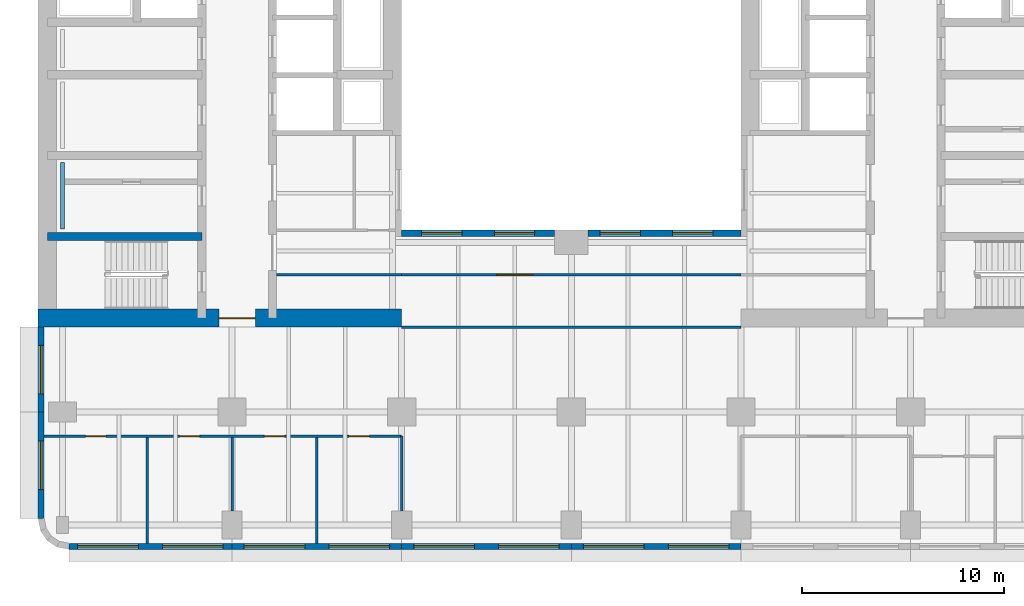
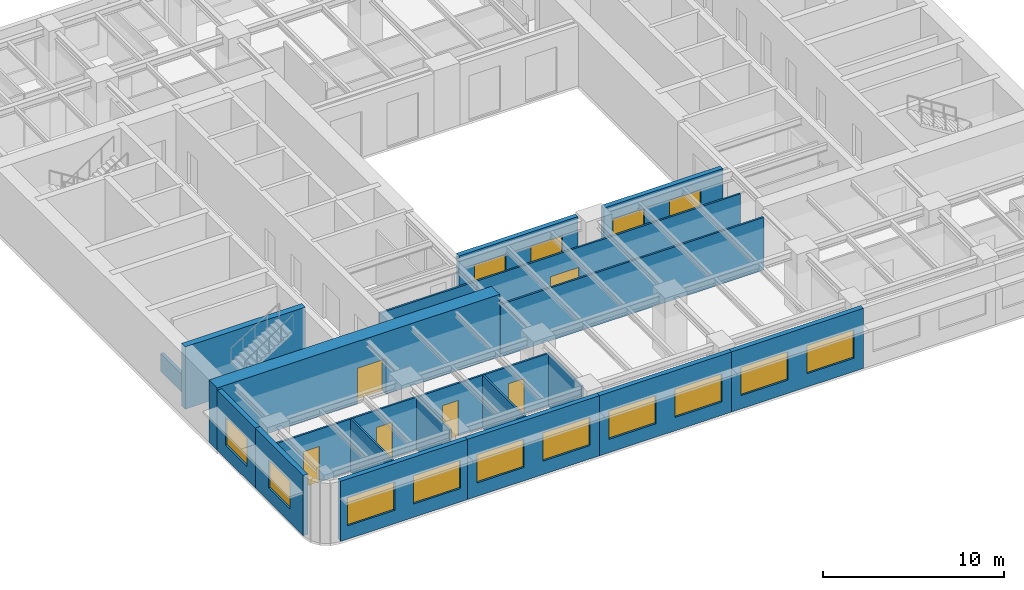
# One storey, part 3 of 11: 19 walls, 14 windows, 6 doors, 20 openings.
"""IFC4 building model written with IfcOpenShell, lengths in metres."""

from ifc_helpers import new_model, si_unit, direction, frame, frame_2d, origin, place, context, subcontext, project, spatial, rectangle, extrude, material, layer, layer_set, type_object, element, fill, save


model = new_model("IFC4")

# Units and contexts
model_context = context("Model", 3, precision=1e-05, world=origin(), true_north=direction((0.0, 1.0)))
body_context = subcontext(model_context, "Body", "Model", "MODEL_VIEW")
ifc_project = project(units=[si_unit("LENGTHUNIT", "METRE"), si_unit("AREAUNIT", "SQUARE_METRE"), si_unit("VOLUMEUNIT", "CUBIC_METRE"), si_unit("PLANEANGLEUNIT", "RADIAN"), si_unit("MASSUNIT", "GRAM", prefix="KILO")], contexts=[model_context])

# Site, building, storey
site_placement = place(None, origin())
site = spatial("IfcSite", under=ifc_project, at=site_placement, CompositionType="ELEMENT")
building_placement = place(site_placement, origin())
building = spatial("IfcBuilding", under=site, at=building_placement, Name="Claustro Exchange Tower", CompositionType="ELEMENT")
storey_placement = place(building_placement, frame((0.0, 0.0, 109.199951171875)))
storey = spatial("IfcBuildingStorey", under=building, at=storey_placement, Name="L24", CompositionType="ELEMENT", Elevation=109.199951171875)

# Wall, openings, doors
ifc_material_1 = material(Name="Laminated glass in aluminium frame", Category="aluminium")
ifc_layer_1 = layer(ifc_material_1, 0.1201171875)
ifc_layer_set_1 = layer_set([ifc_layer_1], Name="Laminated glass in aluminium frame")
wall_type_1 = type_object("IfcWallType", Name="P2 120 glazed partition", PredefinedType="PARTITIONING", material=ifc_layer_set_1)
wall_1_placement = place(storey_placement, frame((-0.902099609375, 7.199951171875, 0.0), z_axis=(0.0, 0.0, 1.0), x_axis=(1.0, 0.0, 0.0)))
wall_1 = element("IfcWall", 1, at=wall_1_placement, inside=storey, type_object=wall_type_1, Name="Partition P2 L24", PredefinedType="PARTITIONING", context=body_context, shape_type="SweptSolid", body=[
    extrude(rectangle(XDim=17.7021484375, YDim=0.1201171875, at=frame_2d((8.85107421875, 0.0))), origin(), (0.0, 0.0, 1.0), 3.550048828125),
])
opening_1_placement = place(wall_1_placement, frame((2.052001953125, 0.0, 0.0)))
opening_1 = element("IfcOpeningElement", 2, at=opening_1_placement, cuts=wall_1, Name="Opening D7", PredefinedType="OPENING", context=body_context, shape_type="SweptSolid", body=[
    extrude(rectangle(XDim=1.0, YDim=2.39990234375, at=frame_2d((0.5, 1.199951171875))), frame((0.0, 0.070068359375, 0.0), z_axis=(0.0, -1.0, 0.0), x_axis=(1.0, 0.0, 0.0)), (0.0, 0.0, 1.0), 0.14013671875),
])
opening_2_placement = place(wall_1_placement, frame((6.701904296875, 0.0, 0.0)))
opening_2 = element("IfcOpeningElement", 3, at=opening_2_placement, cuts=wall_1, Name="Opening D7", PredefinedType="OPENING", context=body_context, shape_type="SweptSolid", body=[
    extrude(rectangle(XDim=1.0, YDim=2.39990234375, at=frame_2d((0.5, 1.199951171875))), frame((0.0, 0.070068359375, 0.0), z_axis=(0.0, -1.0, 0.0), x_axis=(1.0, 0.0, 0.0)), (0.0, 0.0, 1.0), 0.14013671875),
])
opening_3_placement = place(wall_1_placement, frame((10.902099609375, 0.0, 0.0)))
opening_3 = element("IfcOpeningElement", 4, at=opening_3_placement, cuts=wall_1, Name="Opening D7", PredefinedType="OPENING", context=body_context, shape_type="SweptSolid", body=[
    extrude(rectangle(XDim=1.0, YDim=2.39990234375, at=frame_2d((0.5, 1.199951171875))), frame((0.0, 0.070068359375, 0.0), z_axis=(0.0, -1.0, 0.0), x_axis=(1.0, 0.0, 0.0)), (0.0, 0.0, 1.0), 0.14013671875),
])
opening_4_placement = place(wall_1_placement, frame((15.10205078125, 0.0, 0.0)))
opening_4 = element("IfcOpeningElement", 5, at=opening_4_placement, cuts=wall_1, Name="Opening D7", PredefinedType="OPENING", context=body_context, shape_type="SweptSolid", body=[
    extrude(rectangle(XDim=1.0, YDim=2.39990234375, at=frame_2d((0.5, 1.199951171875))), frame((0.0, 0.070068359375, 0.0), z_axis=(0.0, -1.0, 0.0), x_axis=(1.0, 0.0, 0.0)), (0.0, 0.0, 1.0), 0.14013671875),
])
ifc_material_2 = material(Name="Glass door in aluminium frame", Category="aluminium")
door_type_1 = type_object("IfcDoorType", Name="D7 1000 x 2400 glazed door", OperationType="SINGLE_SWING_LEFT", PredefinedType="DOOR", material=ifc_material_2)
door_1_placement = place(opening_1_placement, frame((1.0, 0.0, 0.0), z_axis=(0.0, 0.0, 1.0), x_axis=(-1.0, 0.0, 0.0)))
door_1 = element("IfcDoor", 6, at=door_1_placement, inside=storey, type_object=door_type_1, Name="Door D7 L24", OperationType="SINGLE_SWING_LEFT", OverallHeight=2.39990234375, OverallWidth=1.0, PredefinedType="DOOR", context=body_context, shape_type="SweptSolid", body=[
    extrude(rectangle(XDim=1.0, YDim=2.39990234375, at=frame_2d((0.5, 1.199951171875))), frame((0.0, 0.02490234375, 0.0), z_axis=(0.0, -1.0, 0.0), x_axis=(1.0, 0.0, 0.0)), (0.0, 0.0, 1.0), 0.050048828125),
])
fill(opening_1, door_1)
door_2_placement = place(opening_2_placement, frame((1.0, 0.0, 0.0), z_axis=(0.0, 0.0, 1.0), x_axis=(-1.0, 0.0, 0.0)))
door_2 = element("IfcDoor", 7, at=door_2_placement, inside=storey, type_object=door_type_1, Name="Door D7 L24", OperationType="SINGLE_SWING_RIGHT", OverallHeight=2.39990234375, OverallWidth=1.0, PredefinedType="DOOR", context=body_context, shape_type="SweptSolid", body=[
    extrude(rectangle(XDim=1.0, YDim=2.39990234375, at=frame_2d((0.5, 1.199951171875))), frame((0.0, 0.02490234375, 0.0), z_axis=(0.0, -1.0, 0.0), x_axis=(1.0, 0.0, 0.0)), (0.0, 0.0, 1.0), 0.050048828125),
])
fill(opening_2, door_2)
door_3_placement = place(opening_3_placement, frame((1.0, 0.0, 0.0), z_axis=(0.0, 0.0, 1.0), x_axis=(-1.0, 0.0, 0.0)))
door_3 = element("IfcDoor", 8, at=door_3_placement, inside=storey, type_object=door_type_1, Name="Door D7 L24", OperationType="SINGLE_SWING_RIGHT", OverallHeight=2.39990234375, OverallWidth=1.0, PredefinedType="DOOR", context=body_context, shape_type="SweptSolid", body=[
    extrude(rectangle(XDim=1.0, YDim=2.39990234375, at=frame_2d((0.5, 1.199951171875))), frame((0.0, 0.02490234375, 0.0), z_axis=(0.0, -1.0, 0.0), x_axis=(1.0, 0.0, 0.0)), (0.0, 0.0, 1.0), 0.050048828125),
])
fill(opening_3, door_3)
door_4_placement = place(opening_4_placement, frame((1.0, 0.0, 0.0), z_axis=(0.0, 0.0, 1.0), x_axis=(-1.0, 0.0, 0.0)))
door_4 = element("IfcDoor", 9, at=door_4_placement, inside=storey, type_object=door_type_1, Name="Door D7 L24", OperationType="SINGLE_SWING_RIGHT", OverallHeight=2.39990234375, OverallWidth=1.0, PredefinedType="DOOR", context=body_context, shape_type="SweptSolid", body=[
    extrude(rectangle(XDim=1.0, YDim=2.39990234375, at=frame_2d((0.5, 1.199951171875))), frame((0.0, 0.02490234375, 0.0), z_axis=(0.0, -1.0, 0.0), x_axis=(1.0, 0.0, 0.0)), (0.0, 0.0, 1.0), 0.050048828125),
])
fill(opening_4, door_4)

# Walls
wall_2_placement = place(storey_placement, frame((4.199951171875, 1.89794921875, 0.0), z_axis=(0.0, 0.0, 1.0), x_axis=(0.0, 1.0, 0.0)))
element("IfcWall", 10, at=wall_2_placement, inside=storey, type_object=wall_type_1, Name="Partition P2 L24", PredefinedType="PARTITIONING", context=body_context, shape_type="SweptSolid", body=[
    extrude(rectangle(XDim=5.244140625, YDim=0.1201171875, at=frame_2d((2.6220703125, 0.0))), origin(), (0.0, 0.0, 1.0), 3.56005859375),
])
wall_3_placement = place(storey_placement, frame((8.39990234375, 3.4990234375, 0.0), z_axis=(0.0, 0.0, 1.0), x_axis=(0.0, 1.0, 0.0)))
element("IfcWall", 11, at=wall_3_placement, inside=storey, type_object=wall_type_1, Name="Partition P2 L24", PredefinedType="PARTITIONING", context=body_context, shape_type="SweptSolid", body=[
    extrude(rectangle(XDim=3.64306640625, YDim=0.1201171875, at=frame_2d((1.821533203125, 0.0))), origin(), (0.0, 0.0, 1.0), 3.550048828125),
])
wall_4_placement = place(storey_placement, frame((12.60009765625, 1.89794921875, 0.0), z_axis=(0.0, 0.0, 1.0), x_axis=(0.0, 1.0, 0.0)))
element("IfcWall", 12, at=wall_4_placement, inside=storey, type_object=wall_type_1, Name="Partition P2 L24", PredefinedType="PARTITIONING", context=body_context, shape_type="SweptSolid", body=[
    extrude(rectangle(XDim=5.244140625, YDim=0.1201171875, at=frame_2d((2.6220703125, 0.0))), origin(), (0.0, 0.0, 1.0), 3.56005859375),
])
wall_5_placement = place(storey_placement, frame((16.800048828125, 3.4990234375, 0.0), z_axis=(0.0, 0.0, 1.0), x_axis=(0.0, 1.0, 0.0)))
element("IfcWall", 13, at=wall_5_placement, inside=storey, type_object=wall_type_1, Name="Partition P2 L24", PredefinedType="PARTITIONING", context=body_context, shape_type="SweptSolid", body=[
    extrude(rectangle(XDim=3.700927734375, YDim=0.1201171875, at=frame_2d((1.8505859375, 0.0))), origin(), (0.0, 0.0, 1.0), 3.550048828125),
])
wall_6_placement = place(storey_placement, frame((10.597900390625, 15.199951171875, 0.0), z_axis=(0.0, 0.0, 1.0), x_axis=(1.0, 0.0, 0.0)))
element("IfcWall", 14, at=wall_6_placement, inside=storey, type_object=wall_type_1, Name="Partition P2 L24", PredefinedType="PARTITIONING", context=body_context, shape_type="SweptSolid", body=[
    extrude(rectangle(XDim=6.2041015625, YDim=0.1201171875, at=frame_2d((3.10205078125, 0.0))), origin(), (0.0, 0.0, 1.0), 3.550048828125),
])

# Wall, opening, door
wall_7_placement = place(storey_placement, frame((16.798095703125, 15.199951171875, 0.0), z_axis=(0.0, 0.0, 1.0), x_axis=(1.0, 0.0, 0.0)))
wall_7 = element("IfcWall", 15, at=wall_7_placement, inside=storey, type_object=wall_type_1, Name="Partition P2 L24", PredefinedType="PARTITIONING", context=body_context, shape_type="SweptSolid", body=[
    extrude(rectangle(XDim=16.803955078125, YDim=0.1201171875, at=frame_2d((8.40185546875, 0.0))), origin(), (0.0, 0.0, 1.0), 3.550048828125),
])
opening_5_placement = place(wall_7_placement, frame((4.701904296875, 0.0, 0.0)))
opening_5 = element("IfcOpeningElement", 16, at=opening_5_placement, cuts=wall_7, Name="Opening D2", PredefinedType="OPENING", context=body_context, shape_type="SweptSolid", body=[
    extrude(rectangle(XDim=1.800048828125, YDim=2.199951171875, at=frame_2d((0.89990234375, 1.10009765625))), frame((0.0, 0.070068359375, 0.0), z_axis=(0.0, -1.0, 0.0), x_axis=(1.0, 0.0, 0.0)), (0.0, 0.0, 1.0), 0.14013671875),
])
ifc_material_3 = material(Name="Timber door, oak veneer", Category="wood")
door_type_2 = type_object("IfcDoorType", Name="D2 1800 x 2200 double door", OperationType="DOUBLE_DOOR_SINGLE_SWING", PredefinedType="DOOR", material=ifc_material_3)
door_5_placement = place(opening_5_placement, frame((1.800048828125, 0.0, 0.0), z_axis=(0.0, 0.0, 1.0), x_axis=(-1.0, 0.0, 0.0)))
door_5 = element("IfcDoor", 17, at=door_5_placement, inside=storey, type_object=door_type_2, Name="Double door D2 L24", OperationType="DOUBLE_DOOR_SINGLE_SWING", OverallHeight=2.199951171875, OverallWidth=1.800048828125, PredefinedType="DOOR", context=body_context, shape_type="SweptSolid", body=[
    extrude(rectangle(XDim=1.800048828125, YDim=2.199951171875, at=frame_2d((0.89990234375, 1.10009765625))), frame((0.0, 0.02490234375, 0.0), z_axis=(0.0, -1.0, 0.0), x_axis=(1.0, 0.0, 0.0)), (0.0, 0.0, 1.0), 0.050048828125),
])
fill(opening_5, door_5)

# Wall
wall_8_placement = place(storey_placement, frame((16.800048828125, 12.60009765625, 0.0), z_axis=(0.0, 0.0, 1.0), x_axis=(1.0, 0.0, 0.0)))
element("IfcWall", 18, at=wall_8_placement, inside=storey, type_object=wall_type_1, Name="Partition P2 L24", PredefinedType="PARTITIONING", context=body_context, shape_type="SweptSolid", body=[
    extrude(rectangle(XDim=16.800048828125, YDim=0.1201171875, at=frame_2d((8.39990234375, 0.0))), origin(), (0.0, 0.0, 1.0), 3.550048828125),
])

# Wall, openings, windows
ifc_material_4 = material(Name="Concrete HA-40 (C40/50), precast, white cement, acid-etched", Category="concrete")
ifc_layer_2 = layer(ifc_material_4, 0.300048828125)
ifc_layer_set_2 = layer_set([ifc_layer_2], Name="Concrete HA-40 (C40/50), precast, white cement, acid-etched")
wall_type_2 = type_object("IfcWallType", Name="PC1 300 precast concrete pier panel", PredefinedType="SOLIDWALL", material=ifc_layer_set_2)
wall_9_placement = place(storey_placement, frame((33.60009765625, 1.75, 0.0), z_axis=(0.0, 0.0, 1.0), x_axis=(-1.0, 0.0, 0.0)))
wall_9 = element("IfcWall", 19, at=wall_9_placement, inside=storey, type_object=wall_type_2, Name="Precast pier panel PC1 L24", PredefinedType="SOLIDWALL", context=body_context, shape_type="SweptSolid", body=[
    extrude(rectangle(XDim=8.400146484375, YDim=0.300048828125, at=frame_2d((4.2001953125, 0.0))), origin(), (0.0, 0.0, 1.0), 4.050048828125),
])
opening_6_placement = place(wall_9_placement, frame((0.60009765625, 0.0, 0.89990234375)))
opening_6 = element("IfcOpeningElement", 20, at=opening_6_placement, cuts=wall_9, Name="Opening W1", PredefinedType="OPENING", context=body_context, shape_type="SweptSolid", body=[
    extrude(rectangle(XDim=3.0, YDim=1.89990234375, at=frame_2d((1.5, 0.949951171875))), frame((0.0, 0.159912109375, 0.0), z_axis=(0.0, -1.0, 0.0), x_axis=(1.0, 0.0, 0.0)), (0.0, 0.0, 1.0), 0.320068359375),
])
opening_7_placement = place(wall_9_placement, frame((4.800048828125, 0.0, 0.89990234375)))
opening_7 = element("IfcOpeningElement", 21, at=opening_7_placement, cuts=wall_9, Name="Opening W1", PredefinedType="OPENING", context=body_context, shape_type="SweptSolid", body=[
    extrude(rectangle(XDim=3.0, YDim=1.89990234375, at=frame_2d((1.5, 0.949951171875))), frame((0.0, 0.159912109375, 0.0), z_axis=(0.0, -1.0, 0.0), x_axis=(1.0, 0.0, 0.0)), (0.0, 0.0, 1.0), 0.320068359375),
])
ifc_material_5 = material(Name="Aluminium frame, clear double glazing", Category="aluminium")
window_type_1 = type_object("IfcWindowType", Name="W1 3000 x 1900 window", PartitioningType="SINGLE_PANEL", PredefinedType="WINDOW", material=ifc_material_5)
window_1_placement = place(opening_6_placement, origin())
window_1 = element("IfcWindow", 22, at=window_1_placement, inside=storey, type_object=window_type_1, Name="Window W1 L24", OverallHeight=1.89990234375, OverallWidth=3.0, PartitioningType="SINGLE_PANEL", PredefinedType="WINDOW", context=body_context, shape_type="SweptSolid", body=[
    extrude(rectangle(XDim=3.0, YDim=1.89990234375, at=frame_2d((1.5, 0.949951171875))), frame((0.0, 0.030029296875, 0.0), z_axis=(0.0, -1.0, 0.0), x_axis=(1.0, 0.0, 0.0)), (0.0, 0.0, 1.0), 0.06005859375),
])
fill(opening_6, window_1)
window_2_placement = place(opening_7_placement, origin())
window_2 = element("IfcWindow", 23, at=window_2_placement, inside=storey, type_object=window_type_1, Name="Window W1 L24", OverallHeight=1.89990234375, OverallWidth=3.0, PartitioningType="SINGLE_PANEL", PredefinedType="WINDOW", context=body_context, shape_type="SweptSolid", body=[
    extrude(rectangle(XDim=3.0, YDim=1.89990234375, at=frame_2d((1.5, 0.949951171875))), frame((0.0, 0.030029296875, 0.0), z_axis=(0.0, -1.0, 0.0), x_axis=(1.0, 0.0, 0.0)), (0.0, 0.0, 1.0), 0.06005859375),
])
fill(opening_7, window_2)

wall_10_placement = place(storey_placement, frame((25.199951171875, 1.75, 0.0), z_axis=(0.0, 0.0, 1.0), x_axis=(-1.0, 0.0, 0.0)))
wall_10 = element("IfcWall", 24, at=wall_10_placement, inside=storey, type_object=wall_type_2, Name="Precast pier panel PC1 L24", PredefinedType="SOLIDWALL", context=body_context, shape_type="SweptSolid", body=[
    extrude(rectangle(XDim=8.39990234375, YDim=0.300048828125, at=frame_2d((4.199951171875, 0.0))), origin(), (0.0, 0.0, 1.0), 4.050048828125),
])
opening_8_placement = place(wall_10_placement, frame((0.60009765625, 0.0, 0.89990234375)))
opening_8 = element("IfcOpeningElement", 25, at=opening_8_placement, cuts=wall_10, Name="Opening W1", PredefinedType="OPENING", context=body_context, shape_type="SweptSolid", body=[
    extrude(rectangle(XDim=3.0, YDim=1.89990234375, at=frame_2d((1.5, 0.949951171875))), frame((0.0, 0.159912109375, 0.0), z_axis=(0.0, -1.0, 0.0), x_axis=(1.0, 0.0, 0.0)), (0.0, 0.0, 1.0), 0.320068359375),
])
opening_9_placement = place(wall_10_placement, frame((4.800048828125, 0.0, 0.89990234375)))
opening_9 = element("IfcOpeningElement", 26, at=opening_9_placement, cuts=wall_10, Name="Opening W1", PredefinedType="OPENING", context=body_context, shape_type="SweptSolid", body=[
    extrude(rectangle(XDim=3.0, YDim=1.89990234375, at=frame_2d((1.5, 0.949951171875))), frame((0.0, 0.159912109375, 0.0), z_axis=(0.0, -1.0, 0.0), x_axis=(1.0, 0.0, 0.0)), (0.0, 0.0, 1.0), 0.320068359375),
])
window_3_placement = place(opening_8_placement, origin())
window_3 = element("IfcWindow", 27, at=window_3_placement, inside=storey, type_object=window_type_1, Name="Window W1 L24", OverallHeight=1.89990234375, OverallWidth=3.0, PartitioningType="SINGLE_PANEL", PredefinedType="WINDOW", context=body_context, shape_type="SweptSolid", body=[
    extrude(rectangle(XDim=3.0, YDim=1.89990234375, at=frame_2d((1.5, 0.949951171875))), frame((0.0, 0.030029296875, 0.0), z_axis=(0.0, -1.0, 0.0), x_axis=(1.0, 0.0, 0.0)), (0.0, 0.0, 1.0), 0.06005859375),
])
fill(opening_8, window_3)
window_4_placement = place(opening_9_placement, origin())
window_4 = element("IfcWindow", 28, at=window_4_placement, inside=storey, type_object=window_type_1, Name="Window W1 L24", OverallHeight=1.89990234375, OverallWidth=3.0, PartitioningType="SINGLE_PANEL", PredefinedType="WINDOW", context=body_context, shape_type="SweptSolid", body=[
    extrude(rectangle(XDim=3.0, YDim=1.89990234375, at=frame_2d((1.5, 0.949951171875))), frame((0.0, 0.030029296875, 0.0), z_axis=(0.0, -1.0, 0.0), x_axis=(1.0, 0.0, 0.0)), (0.0, 0.0, 1.0), 0.06005859375),
])
fill(opening_9, window_4)

wall_11_placement = place(storey_placement, frame((16.800048828125, 1.75, 0.0), z_axis=(0.0, 0.0, 1.0), x_axis=(-1.0, 0.0, 0.0)))
wall_11 = element("IfcWall", 29, at=wall_11_placement, inside=storey, type_object=wall_type_2, Name="Precast pier panel PC1 L24", PredefinedType="SOLIDWALL", context=body_context, shape_type="SweptSolid", body=[
    extrude(rectangle(XDim=8.400146484375, YDim=0.300048828125, at=frame_2d((4.2001953125, 0.0))), origin(), (0.0, 0.0, 1.0), 4.050048828125),
])
opening_10_placement = place(wall_11_placement, frame((0.60009765625, 0.0, 0.89990234375)))
opening_10 = element("IfcOpeningElement", 30, at=opening_10_placement, cuts=wall_11, Name="Opening W1", PredefinedType="OPENING", context=body_context, shape_type="SweptSolid", body=[
    extrude(rectangle(XDim=3.0, YDim=1.89990234375, at=frame_2d((1.5, 0.949951171875))), frame((0.0, 0.159912109375, 0.0), z_axis=(0.0, -1.0, 0.0), x_axis=(1.0, 0.0, 0.0)), (0.0, 0.0, 1.0), 0.320068359375),
])
opening_11_placement = place(wall_11_placement, frame((4.800048828125, 0.0, 0.89990234375)))
opening_11 = element("IfcOpeningElement", 31, at=opening_11_placement, cuts=wall_11, Name="Opening W1", PredefinedType="OPENING", context=body_context, shape_type="SweptSolid", body=[
    extrude(rectangle(XDim=3.0, YDim=1.89990234375, at=frame_2d((1.5, 0.949951171875))), frame((0.0, 0.159912109375, 0.0), z_axis=(0.0, -1.0, 0.0), x_axis=(1.0, 0.0, 0.0)), (0.0, 0.0, 1.0), 0.320068359375),
])
window_5_placement = place(opening_10_placement, origin())
window_5 = element("IfcWindow", 32, at=window_5_placement, inside=storey, type_object=window_type_1, Name="Window W1 L24", OverallHeight=1.89990234375, OverallWidth=3.0, PartitioningType="SINGLE_PANEL", PredefinedType="WINDOW", context=body_context, shape_type="SweptSolid", body=[
    extrude(rectangle(XDim=3.0, YDim=1.89990234375, at=frame_2d((1.5, 0.949951171875))), frame((0.0, 0.030029296875, 0.0), z_axis=(0.0, -1.0, 0.0), x_axis=(1.0, 0.0, 0.0)), (0.0, 0.0, 1.0), 0.06005859375),
])
fill(opening_10, window_5)
window_6_placement = place(opening_11_placement, origin())
window_6 = element("IfcWindow", 33, at=window_6_placement, inside=storey, type_object=window_type_1, Name="Window W1 L24", OverallHeight=1.89990234375, OverallWidth=3.0, PartitioningType="SINGLE_PANEL", PredefinedType="WINDOW", context=body_context, shape_type="SweptSolid", body=[
    extrude(rectangle(XDim=3.0, YDim=1.89990234375, at=frame_2d((1.5, 0.949951171875))), frame((0.0, 0.030029296875, 0.0), z_axis=(0.0, -1.0, 0.0), x_axis=(1.0, 0.0, 0.0)), (0.0, 0.0, 1.0), 0.06005859375),
])
fill(opening_11, window_6)

wall_12_placement = place(storey_placement, frame((8.39990234375, 1.75, 0.0), z_axis=(0.0, 0.0, 1.0), x_axis=(-1.0, 0.0, 0.0)))
wall_12 = element("IfcWall", 34, at=wall_12_placement, inside=storey, type_object=wall_type_2, Name="Precast pier panel PC1 L24", PredefinedType="SOLIDWALL", context=body_context, shape_type="SweptSolid", body=[
    extrude(rectangle(XDim=8.085205078125, YDim=0.300048828125, at=frame_2d((4.04248046875, 0.0))), origin(), (0.0, 0.0, 1.0), 4.050048828125),
])
opening_12_placement = place(wall_12_placement, frame((0.442626953125, 0.0, 0.89990234375)))
opening_12 = element("IfcOpeningElement", 35, at=opening_12_placement, cuts=wall_12, Name="Opening W1", PredefinedType="OPENING", context=body_context, shape_type="SweptSolid", body=[
    extrude(rectangle(XDim=3.0, YDim=1.89990234375, at=frame_2d((1.5, 0.949951171875))), frame((0.0, 0.159912109375, 0.0), z_axis=(0.0, -1.0, 0.0), x_axis=(1.0, 0.0, 0.0)), (0.0, 0.0, 1.0), 0.320068359375),
])
opening_13_placement = place(wall_12_placement, frame((4.642578125, 0.0, 0.89990234375)))
opening_13 = element("IfcOpeningElement", 36, at=opening_13_placement, cuts=wall_12, Name="Opening W1", PredefinedType="OPENING", context=body_context, shape_type="SweptSolid", body=[
    extrude(rectangle(XDim=3.0, YDim=1.89990234375, at=frame_2d((1.5, 0.949951171875))), frame((0.0, 0.159912109375, 0.0), z_axis=(0.0, -1.0, 0.0), x_axis=(1.0, 0.0, 0.0)), (0.0, 0.0, 1.0), 0.320068359375),
])
window_7_placement = place(opening_12_placement, origin())
window_7 = element("IfcWindow", 37, at=window_7_placement, inside=storey, type_object=window_type_1, Name="Window W1 L24", OverallHeight=1.89990234375, OverallWidth=3.0, PartitioningType="SINGLE_PANEL", PredefinedType="WINDOW", context=body_context, shape_type="SweptSolid", body=[
    extrude(rectangle(XDim=3.0, YDim=1.89990234375, at=frame_2d((1.5, 0.949951171875))), frame((0.0, 0.030029296875, 0.0), z_axis=(0.0, -1.0, 0.0), x_axis=(1.0, 0.0, 0.0)), (0.0, 0.0, 1.0), 0.06005859375),
])
fill(opening_12, window_7)
window_8_placement = place(opening_13_placement, origin())
window_8 = element("IfcWindow", 38, at=window_8_placement, inside=storey, type_object=window_type_1, Name="Window W1 L24", OverallHeight=1.89990234375, OverallWidth=3.0, PartitioningType="SINGLE_PANEL", PredefinedType="WINDOW", context=body_context, shape_type="SweptSolid", body=[
    extrude(rectangle(XDim=3.0, YDim=1.89990234375, at=frame_2d((1.5, 0.949951171875))), frame((0.0, 0.030029296875, 0.0), z_axis=(0.0, -1.0, 0.0), x_axis=(1.0, 0.0, 0.0)), (0.0, 0.0, 1.0), 0.06005859375),
])
fill(opening_13, window_8)

# Wall, opening, window
wall_13_placement = place(storey_placement, frame((-1.050048828125, 3.11474609375, 0.0), z_axis=(0.0, 0.0, 1.0), x_axis=(0.0, 1.0, 0.0)))
wall_13 = element("IfcWall", 39, at=wall_13_placement, inside=storey, type_object=wall_type_2, Name="Precast pier panel PC1 L24", PredefinedType="SOLIDWALL", context=body_context, shape_type="SweptSolid", body=[
    extrude(rectangle(XDim=5.28515625, YDim=0.300048828125, at=frame_2d((2.642578125, 0.0))), origin(), (0.0, 0.0, 1.0), 4.050048828125),
])
opening_14_placement = place(wall_13_placement, frame((1.442626953125, 0.0, 0.89990234375)))
opening_14 = element("IfcOpeningElement", 40, at=opening_14_placement, cuts=wall_13, Name="Opening W2", PredefinedType="OPENING", context=body_context, shape_type="SweptSolid", body=[
    extrude(rectangle(XDim=2.39990234375, YDim=1.89990234375, at=frame_2d((1.199951171875, 0.949951171875))), frame((0.0, 0.159912109375, 0.0), z_axis=(0.0, -1.0, 0.0), x_axis=(1.0, 0.0, 0.0)), (0.0, 0.0, 1.0), 0.320068359375),
])
ifc_material_6 = material(Name="Aluminium frame, clear double glazing", Category="aluminium")
window_type_2 = type_object("IfcWindowType", Name="W2 2400 x 1900 window", PartitioningType="SINGLE_PANEL", PredefinedType="WINDOW", material=ifc_material_6)
window_9_placement = place(opening_14_placement, origin())
window_9 = element("IfcWindow", 41, at=window_9_placement, inside=storey, type_object=window_type_2, Name="Window W2 L24", OverallHeight=1.89990234375, OverallWidth=2.39990234375, PartitioningType="SINGLE_PANEL", PredefinedType="WINDOW", context=body_context, shape_type="SweptSolid", body=[
    extrude(rectangle(XDim=2.39990234375, YDim=1.89990234375, at=frame_2d((1.199951171875, 0.949951171875))), frame((0.0, 0.030029296875, 0.0), z_axis=(0.0, -1.0, 0.0), x_axis=(1.0, 0.0, 0.0)), (0.0, 0.0, 1.0), 0.06005859375),
])
fill(opening_14, window_9)

wall_14_placement = place(storey_placement, frame((-1.050048828125, 8.39990234375, 0.0), z_axis=(0.0, 0.0, 1.0), x_axis=(0.0, 1.0, 0.0)))
wall_14 = element("IfcWall", 42, at=wall_14_placement, inside=storey, type_object=wall_type_2, Name="Precast pier panel PC1 L24", PredefinedType="SOLIDWALL", context=body_context, shape_type="SweptSolid", body=[
    extrude(rectangle(XDim=4.2001953125, YDim=0.300048828125, at=frame_2d((2.10009765625, 0.0))), origin(), (0.0, 0.0, 1.0), 4.050048828125),
])
opening_15_placement = place(wall_14_placement, frame((0.89990234375, 0.0, 0.89990234375)))
opening_15 = element("IfcOpeningElement", 43, at=opening_15_placement, cuts=wall_14, Name="Opening W2", PredefinedType="OPENING", context=body_context, shape_type="SweptSolid", body=[
    extrude(rectangle(XDim=2.39990234375, YDim=1.89990234375, at=frame_2d((1.199951171875, 0.949951171875))), frame((0.0, 0.159912109375, 0.0), z_axis=(0.0, -1.0, 0.0), x_axis=(1.0, 0.0, 0.0)), (0.0, 0.0, 1.0), 0.320068359375),
])
window_10_placement = place(opening_15_placement, origin())
window_10 = element("IfcWindow", 44, at=window_10_placement, inside=storey, type_object=window_type_2, Name="Window W2 L24", OverallHeight=1.89990234375, OverallWidth=2.39990234375, PartitioningType="SINGLE_PANEL", PredefinedType="WINDOW", context=body_context, shape_type="SweptSolid", body=[
    extrude(rectangle(XDim=2.39990234375, YDim=1.89990234375, at=frame_2d((1.199951171875, 0.949951171875))), frame((0.0, 0.030029296875, 0.0), z_axis=(0.0, -1.0, 0.0), x_axis=(1.0, 0.0, 0.0)), (0.0, 0.0, 1.0), 0.06005859375),
])
fill(opening_15, window_10)

# Wall, openings, windows
wall_15_placement = place(storey_placement, frame((16.800048828125, 17.25, 0.0), z_axis=(0.0, 0.0, 1.0), x_axis=(1.0, 0.0, 0.0)))
wall_15 = element("IfcWall", 45, at=wall_15_placement, inside=storey, type_object=wall_type_2, Name="Precast pier panel PC1 L24", PredefinedType="SOLIDWALL", context=body_context, shape_type="SweptSolid", body=[
    extrude(rectangle(XDim=7.574951171875, YDim=0.300048828125, at=frame_2d((3.78759765625, 0.0))), origin(), (0.0, 0.0, 1.0), 4.050048828125),
])
opening_16_placement = place(wall_15_placement, frame((0.987548828125, 0.0, 0.10009765625)))
opening_16 = element("IfcOpeningElement", 46, at=opening_16_placement, cuts=wall_15, Name="Opening W-A", PredefinedType="OPENING", context=body_context, shape_type="SweptSolid", body=[
    extrude(rectangle(XDim=2.0, YDim=3.0, at=frame_2d((1.0, 1.5))), frame((0.0, 0.159912109375, 0.0), z_axis=(0.0, -1.0, 0.0), x_axis=(1.0, 0.0, 0.0)), (0.0, 0.0, 1.0), 0.320068359375),
])
opening_17_placement = place(wall_15_placement, frame((4.58740234375, 0.0, 0.10009765625)))
opening_17 = element("IfcOpeningElement", 47, at=opening_17_placement, cuts=wall_15, Name="Opening W-A", PredefinedType="OPENING", context=body_context, shape_type="SweptSolid", body=[
    extrude(rectangle(XDim=2.0, YDim=3.0, at=frame_2d((1.0, 1.5))), frame((0.0, 0.159912109375, 0.0), z_axis=(0.0, -1.0, 0.0), x_axis=(1.0, 0.0, 0.0)), (0.0, 0.0, 1.0), 0.320068359375),
])
ifc_material_7 = material(Name="Aluminium frame, clear double glazing", Category="aluminium")
window_type_3 = type_object("IfcWindowType", Name="W-A 2000 x 3000 arcade window", PartitioningType="SINGLE_PANEL", PredefinedType="WINDOW", material=ifc_material_7)
window_11_placement = place(opening_16_placement, origin())
window_11 = element("IfcWindow", 48, at=window_11_placement, inside=storey, type_object=window_type_3, Name="Window W-A L24", OverallHeight=3.0, OverallWidth=2.0, PartitioningType="SINGLE_PANEL", PredefinedType="WINDOW", context=body_context, shape_type="SweptSolid", body=[
    extrude(rectangle(XDim=2.0, YDim=3.0, at=frame_2d((1.0, 1.5))), frame((0.0, 0.030029296875, 0.0), z_axis=(0.0, -1.0, 0.0), x_axis=(1.0, 0.0, 0.0)), (0.0, 0.0, 1.0), 0.06005859375),
])
fill(opening_16, window_11)
window_12_placement = place(opening_17_placement, origin())
window_12 = element("IfcWindow", 49, at=window_12_placement, inside=storey, type_object=window_type_3, Name="Window W-A L24", OverallHeight=3.0, OverallWidth=2.0, PartitioningType="SINGLE_PANEL", PredefinedType="WINDOW", context=body_context, shape_type="SweptSolid", body=[
    extrude(rectangle(XDim=2.0, YDim=3.0, at=frame_2d((1.0, 1.5))), frame((0.0, 0.030029296875, 0.0), z_axis=(0.0, -1.0, 0.0), x_axis=(1.0, 0.0, 0.0)), (0.0, 0.0, 1.0), 0.06005859375),
])
fill(opening_17, window_12)

wall_16_placement = place(storey_placement, frame((26.02490234375, 17.25, 0.0), z_axis=(0.0, 0.0, 1.0), x_axis=(1.0, 0.0, 0.0)))
wall_16 = element("IfcWall", 50, at=wall_16_placement, inside=storey, type_object=wall_type_2, Name="Precast pier panel PC1 L24", PredefinedType="SOLIDWALL", context=body_context, shape_type="SweptSolid", body=[
    extrude(rectangle(XDim=7.5751953125, YDim=0.300048828125, at=frame_2d((3.78759765625, 0.0))), origin(), (0.0, 0.0, 1.0), 4.050048828125),
])
opening_18_placement = place(wall_16_placement, frame((0.58740234375, 0.0, 0.10009765625)))
opening_18 = element("IfcOpeningElement", 51, at=opening_18_placement, cuts=wall_16, Name="Opening W-A", PredefinedType="OPENING", context=body_context, shape_type="SweptSolid", body=[
    extrude(rectangle(XDim=2.0, YDim=3.0, at=frame_2d((1.0, 1.5))), frame((0.0, 0.159912109375, 0.0), z_axis=(0.0, -1.0, 0.0), x_axis=(1.0, 0.0, 0.0)), (0.0, 0.0, 1.0), 0.320068359375),
])
opening_19_placement = place(wall_16_placement, frame((4.1875, 0.0, 0.10009765625)))
opening_19 = element("IfcOpeningElement", 52, at=opening_19_placement, cuts=wall_16, Name="Opening W-A", PredefinedType="OPENING", context=body_context, shape_type="SweptSolid", body=[
    extrude(rectangle(XDim=2.0, YDim=3.0, at=frame_2d((1.0, 1.5))), frame((0.0, 0.159912109375, 0.0), z_axis=(0.0, -1.0, 0.0), x_axis=(1.0, 0.0, 0.0)), (0.0, 0.0, 1.0), 0.320068359375),
])
window_13_placement = place(opening_18_placement, origin())
window_13 = element("IfcWindow", 53, at=window_13_placement, inside=storey, type_object=window_type_3, Name="Window W-A L24", OverallHeight=3.0, OverallWidth=2.0, PartitioningType="SINGLE_PANEL", PredefinedType="WINDOW", context=body_context, shape_type="SweptSolid", body=[
    extrude(rectangle(XDim=2.0, YDim=3.0, at=frame_2d((1.0, 1.5))), frame((0.0, 0.030029296875, 0.0), z_axis=(0.0, -1.0, 0.0), x_axis=(1.0, 0.0, 0.0)), (0.0, 0.0, 1.0), 0.06005859375),
])
fill(opening_18, window_13)
window_14_placement = place(opening_19_placement, origin())
window_14 = element("IfcWindow", 54, at=window_14_placement, inside=storey, type_object=window_type_3, Name="Window W-A L24", OverallHeight=3.0, OverallWidth=2.0, PartitioningType="SINGLE_PANEL", PredefinedType="WINDOW", context=body_context, shape_type="SweptSolid", body=[
    extrude(rectangle(XDim=2.0, YDim=3.0, at=frame_2d((1.0, 1.5))), frame((0.0, 0.030029296875, 0.0), z_axis=(0.0, -1.0, 0.0), x_axis=(1.0, 0.0, 0.0)), (0.0, 0.0, 1.0), 0.06005859375),
])
fill(opening_19, window_14)

# Wall
ifc_material_8 = material(Name="Gypsum board on steel studs, tiled", Category="steel")
ifc_layer_3 = layer(ifc_material_8, 0.199951171875)
ifc_layer_set_3 = layer_set([ifc_layer_3], Name="Gypsum board on steel studs, tiled")
wall_type_3 = type_object("IfcWallType", Name="PW1 200 WC duct wall", PredefinedType="PLUMBINGWALL", material=ifc_layer_set_3)
wall_17_placement = place(storey_placement, frame((0.0, 17.449951171875, 0.0), z_axis=(0.0, 0.0, 1.0), x_axis=(0.0, 1.0, 0.0)))
element("IfcWall", 55, at=wall_17_placement, inside=storey, type_object=wall_type_3, Name="WC duct wall PW1 L24", PredefinedType="PLUMBINGWALL", context=body_context, shape_type="SweptSolid", body=[
    extrude(rectangle(XDim=3.300048828125, YDim=0.199951171875, at=frame_2d((1.64990234375, 0.0))), origin(), (0.0, 0.0, 1.0), 1.199951171875),
])

# Wall, opening, door
ifc_material_9 = material(Name="Concrete HA-70 (C70/85)", Category="concrete")
ifc_layer_4 = layer(ifc_material_9, 0.89990234375)
ifc_layer_set_4 = layer_set([ifc_layer_4], Name="Concrete HA-70 (C70/85)")
wall_type_4 = type_object("IfcWallType", Name="SW1 900 core shear wall", PredefinedType="SHEAR", material=ifc_layer_set_4)
wall_18_placement = place(storey_placement, frame((-1.199951171875, 13.050048828125, 0.0), z_axis=(0.0, 0.0, 1.0), x_axis=(1.0, 0.0, 0.0)))
wall_18 = element("IfcWall", 56, at=wall_18_placement, inside=storey, type_object=wall_type_4, Name="Core wall SW1 W core S face L24", PredefinedType="SHEAR", context=body_context, shape_type="SweptSolid", body=[
    extrude(rectangle(XDim=18.0, YDim=0.89990234375, at=frame_2d((9.0, 0.0))), origin(), (0.0, 0.0, 1.0), 4.199951171875),
])
opening_20_placement = place(wall_18_placement, frame((8.949951171875, 0.0, 0.0)))
opening_20 = element("IfcOpeningElement", 57, at=opening_20_placement, cuts=wall_18, Name="Opening D3", PredefinedType="OPENING", context=body_context, shape_type="SweptSolid", body=[
    extrude(rectangle(XDim=1.800048828125, YDim=2.39990234375, at=frame_2d((0.89990234375, 1.199951171875))), frame((0.0, 0.4599609375, 0.0), z_axis=(0.0, -1.0, 0.0), x_axis=(1.0, 0.0, 0.0)), (0.0, 0.0, 1.0), 0.919921875),
])
ifc_material_10 = material(Name="Steel fire door, painted", Category="steel")
door_type_3 = type_object("IfcDoorType", Name="D3 1800 x 2400 fire-rated lobby double door", OperationType="DOUBLE_DOOR_SINGLE_SWING", PredefinedType="DOOR", material=ifc_material_10)
door_6_placement = place(opening_20_placement, frame((1.800048828125, 0.0, 0.0), z_axis=(0.0, 0.0, 1.0), x_axis=(-1.0, 0.0, 0.0)))
door_6 = element("IfcDoor", 58, at=door_6_placement, inside=storey, type_object=door_type_3, Name="Lift lobby door D3 L24", OperationType="DOUBLE_DOOR_SINGLE_SWING", OverallHeight=2.39990234375, OverallWidth=1.800048828125, PredefinedType="DOOR", context=body_context, shape_type="SweptSolid", body=[
    extrude(rectangle(XDim=1.800048828125, YDim=2.39990234375, at=frame_2d((0.89990234375, 1.199951171875))), frame((0.0, 0.02490234375, 0.0), z_axis=(0.0, -1.0, 0.0), x_axis=(1.0, 0.0, 0.0)), (0.0, 0.0, 1.0), 0.050048828125),
])
fill(opening_20, door_6)

# Wall
ifc_material_11 = material(Name="Concrete HA-50 (C50/60)", Category="concrete")
ifc_layer_5 = layer(ifc_material_11, 0.39990234375)
ifc_layer_set_5 = layer_set([ifc_layer_5], Name="Concrete HA-50 (C50/60)")
wall_type_5 = type_object("IfcWallType", Name="SW4 400 internal core wall", PredefinedType="SHEAR", material=ifc_layer_set_5)
wall_19_placement = place(storey_placement, frame((-0.75, 17.10009765625, 0.0), z_axis=(0.0, 0.0, 1.0), x_axis=(1.0, 0.0, 0.0)))
element("IfcWall", 59, at=wall_19_placement, inside=storey, type_object=wall_type_5, Name="Internal core wall SW4 W core L24", PredefinedType="SHEAR", context=body_context, shape_type="SweptSolid", body=[
    extrude(rectangle(XDim=7.64990234375, YDim=0.39990234375, at=frame_2d((3.824951171875, 0.0))), origin(), (0.0, 0.0, 1.0), 4.199951171875),
])

save(model, "model.ifc")
